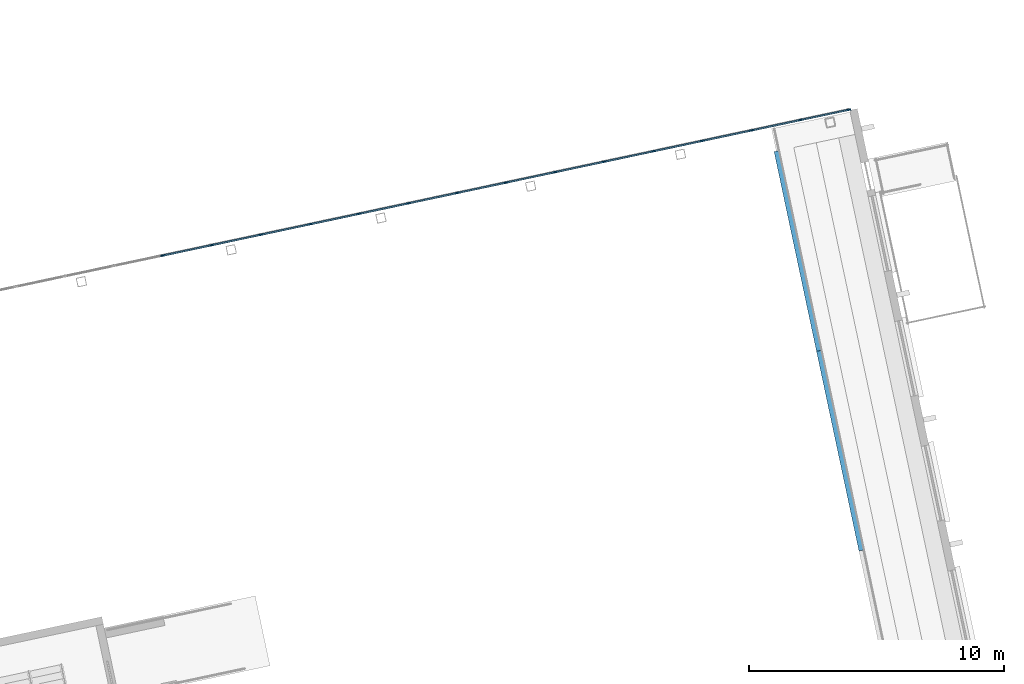
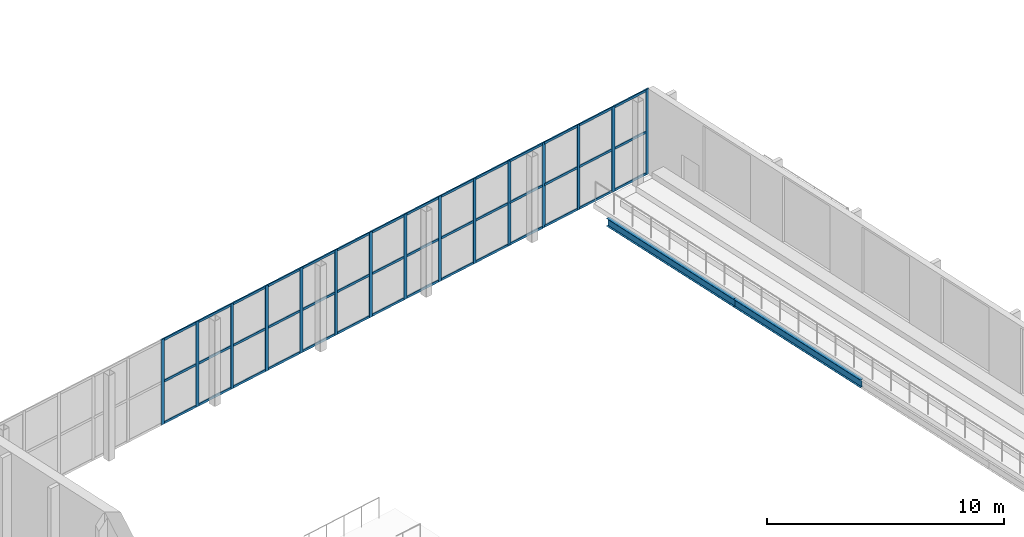
# One storey, part 43 of 115: 57 members, 2 beams, 1 element without a shape of its own.
"""IFC4 building model written with IfcOpenShell, lengths in metres."""

from ifc_helpers import new_model, si_unit, direction, frame, origin, origin_2d, place, context, subcontext, project, spatial, rectangle, i_section, extrude, material, layer, layer_set, material_profile, profile_set, type_object, element, aggregate, save


model = new_model("IFC4")

# Units and contexts
model_context = context("Model", 3, precision=1e-05, world=origin(), true_north=direction((0.0, 1.0)))
body_context = subcontext(model_context, "Body", "Model", "MODEL_VIEW")
ifc_project = project(units=[si_unit("LENGTHUNIT", "METRE"), si_unit("AREAUNIT", "SQUARE_METRE"), si_unit("VOLUMEUNIT", "CUBIC_METRE"), si_unit("PLANEANGLEUNIT", "RADIAN"), si_unit("MASSUNIT", "GRAM", prefix="KILO")], contexts=[model_context])

# Site, building, storey
site_placement = place(None, origin())
site = spatial("IfcSite", under=ifc_project, at=site_placement, CompositionType="ELEMENT")
building_placement = place(site_placement, origin())
building = spatial("IfcBuilding", under=site, at=building_placement, Name="Windward Yard Aquatics Centre", CompositionType="ELEMENT")
storey_placement = place(building_placement, frame((0.0, 0.0, 5.0)))
storey = spatial("IfcBuildingStorey", under=building, at=storey_placement, Name="L01", CompositionType="ELEMENT", Elevation=5.0)

# Beams
ifc_material_1 = material(Name="Steel ASTM A992 Gr 50", Category="steel")
ifc_material_profile_1 = material_profile(ifc_material_1, i_section(OverallWidth=0.177978515625, OverallDepth=0.406005859375, WebThickness=0.0078125, FlangeThickness=0.0126953125, at=origin_2d()), Name="W410X60")
ifc_profile_set_1 = profile_set([ifc_material_profile_1], Name="Steel ASTM A992 Gr 50")
beam_type = type_object("IfcBeamType", Name="D beam W410X60", PredefinedType="BEAM", material=ifc_profile_set_1)
for number, where, z_axis, x_axis, name in (
    (1, (193.35693359375, 65.26416015625, -0.452880859375), (-0.207915693476, 0.978146749934, 0.0), (-0.978146749934, -0.207915693476, 0.0), "D.B.G3"),
    (2, (191.693603515625, 73.08935546875, -0.452880859375), (-0.207915693476, 0.978146749934, 0.0), (-0.978146749934, -0.207915693476, 0.0), "D.B.G4"),
):
    element("IfcBeam", number, at=place(storey_placement, frame(where, z_axis=z_axis, x_axis=x_axis)), inside=storey, type_object=beam_type, Name=name, PredefinedType="BEAM", context=body_context, shape_type="SweptSolid", body=[
        extrude(i_section(OverallWidth=0.177978515625, OverallDepth=0.406005859375, WebThickness=0.0078125, FlangeThickness=0.0126953125, at=origin_2d()), origin(), (0.0, 0.0, 1.0), 8.0),
    ])

# Curtain wall, members
ifc_material_2 = material(Name="Aluminium and glass", Category="aluminium")
ifc_layer = layer(ifc_material_2, 0.159912109375)
ifc_layer_set = layer_set([ifc_layer], Name="D curtain wall 160")
curtain_wall_type = type_object("IfcCurtainWallType", Name="D curtain wall 160", PredefinedType="NOTDEFINED", material=ifc_layer_set)
curtain_wall_placement = place(storey_placement, origin())
curtain_wall = element("IfcCurtainWall", 3, at=curtain_wall_placement, inside=storey, type_object=curtain_wall_type, Name="North glazing L01", PredefinedType="NOTDEFINED")
ifc_material_3 = material(Name="Aluminium extrusion", Category="aluminium")
ifc_material_profile_2 = material_profile(ifc_material_3, rectangle(XDim=0.06005859375, YDim=0.159912109375, at=origin_2d()), Name="MULLION 60X160")
ifc_profile_set_2 = profile_set([ifc_material_profile_2], Name="Aluminium extrusion")
member_type_1 = type_object("IfcMemberType", Name="D curtain wall mullion 60X160", PredefinedType="MULLION", material=ifc_profile_set_2)
member_1_placement = place(storey_placement, frame((165.98388671875, 76.82568359375, 0.0), z_axis=(0.0, 0.0, 1.0), x_axis=(-0.207911718662, 0.978147594815, 0.0)))
member_1 = element("IfcMember", 4, at=member_1_placement, type_object=member_type_1, Name="DCW-L01 mullion 6", PredefinedType="MULLION", context=body_context, shape_type="SweptSolid", body=[
    extrude(rectangle(XDim=0.06005859375, YDim=0.159912109375, at=origin_2d()), origin(), (0.0, 0.0, 1.0), 4.39990234375),
])
member_2_placement = place(storey_placement, frame((167.90673828125, 77.234375, 0.0), z_axis=(0.0, 0.0, 1.0), x_axis=(-0.207911718662, 0.978147594815, 0.0)))
member_2 = element("IfcMember", 5, at=member_2_placement, type_object=member_type_1, Name="DCW-L01 mullion 7", PredefinedType="MULLION", context=body_context, shape_type="SweptSolid", body=[
    extrude(rectangle(XDim=0.06005859375, YDim=0.159912109375, at=origin_2d()), origin(), (0.0, 0.0, 1.0), 4.39990234375),
])
member_3_placement = place(storey_placement, frame((169.82958984375, 77.64306640625, 0.0), z_axis=(0.0, 0.0, 1.0), x_axis=(-0.207911718662, 0.978147594815, 0.0)))
member_3 = element("IfcMember", 6, at=member_3_placement, type_object=member_type_1, Name="DCW-L01 mullion 8", PredefinedType="MULLION", context=body_context, shape_type="SweptSolid", body=[
    extrude(rectangle(XDim=0.06005859375, YDim=0.159912109375, at=origin_2d()), origin(), (0.0, 0.0, 1.0), 4.39990234375),
])
member_4_placement = place(storey_placement, frame((171.75244140625, 78.0517578125, 0.0), z_axis=(0.0, 0.0, 1.0), x_axis=(-0.207911718662, 0.978147594815, 0.0)))
member_4 = element("IfcMember", 7, at=member_4_placement, type_object=member_type_1, Name="DCW-L01 mullion 9", PredefinedType="MULLION", context=body_context, shape_type="SweptSolid", body=[
    extrude(rectangle(XDim=0.06005859375, YDim=0.159912109375, at=origin_2d()), origin(), (0.0, 0.0, 1.0), 4.39990234375),
])
member_5_placement = place(storey_placement, frame((173.67529296875, 78.46044921875, 0.0), z_axis=(0.0, 0.0, 1.0), x_axis=(-0.207911718662, 0.978147594815, 0.0)))
member_5 = element("IfcMember", 8, at=member_5_placement, type_object=member_type_1, Name="DCW-L01 mullion 10", PredefinedType="MULLION", context=body_context, shape_type="SweptSolid", body=[
    extrude(rectangle(XDim=0.06005859375, YDim=0.159912109375, at=origin_2d()), origin(), (0.0, 0.0, 1.0), 4.39990234375),
])
member_6_placement = place(storey_placement, frame((175.59814453125, 78.869140625, 0.0), z_axis=(0.0, 0.0, 1.0), x_axis=(-0.207911718662, 0.978147594815, 0.0)))
member_6 = element("IfcMember", 9, at=member_6_placement, type_object=member_type_1, Name="DCW-L01 mullion 11", PredefinedType="MULLION", context=body_context, shape_type="SweptSolid", body=[
    extrude(rectangle(XDim=0.06005859375, YDim=0.159912109375, at=origin_2d()), origin(), (0.0, 0.0, 1.0), 4.39990234375),
])
member_7_placement = place(storey_placement, frame((177.52099609375, 79.27783203125, 0.0), z_axis=(0.0, 0.0, 1.0), x_axis=(-0.207911718662, 0.978147594815, 0.0)))
member_7 = element("IfcMember", 10, at=member_7_placement, type_object=member_type_1, Name="DCW-L01 mullion 12", PredefinedType="MULLION", context=body_context, shape_type="SweptSolid", body=[
    extrude(rectangle(XDim=0.06005859375, YDim=0.159912109375, at=origin_2d()), origin(), (0.0, 0.0, 1.0), 4.39990234375),
])
member_8_placement = place(storey_placement, frame((179.44384765625, 79.6865234375, 0.0), z_axis=(0.0, 0.0, 1.0), x_axis=(-0.207911718662, 0.978147594815, 0.0)))
member_8 = element("IfcMember", 11, at=member_8_placement, type_object=member_type_1, Name="DCW-L01 mullion 13", PredefinedType="MULLION", context=body_context, shape_type="SweptSolid", body=[
    extrude(rectangle(XDim=0.06005859375, YDim=0.159912109375, at=origin_2d()), origin(), (0.0, 0.0, 1.0), 4.39990234375),
])
member_9_placement = place(storey_placement, frame((181.36669921875, 80.09521484375, 0.0), z_axis=(0.0, 0.0, 1.0), x_axis=(-0.207911718662, 0.978147594815, 0.0)))
member_9 = element("IfcMember", 12, at=member_9_placement, type_object=member_type_1, Name="DCW-L01 mullion 14", PredefinedType="MULLION", context=body_context, shape_type="SweptSolid", body=[
    extrude(rectangle(XDim=0.06005859375, YDim=0.159912109375, at=origin_2d()), origin(), (0.0, 0.0, 1.0), 4.39990234375),
])
member_10_placement = place(storey_placement, frame((183.28955078125, 80.504150390625, 0.0), z_axis=(0.0, 0.0, 1.0), x_axis=(-0.207911718662, 0.978147594815, 0.0)))
member_10 = element("IfcMember", 13, at=member_10_placement, type_object=member_type_1, Name="DCW-L01 mullion 15", PredefinedType="MULLION", context=body_context, shape_type="SweptSolid", body=[
    extrude(rectangle(XDim=0.06005859375, YDim=0.159912109375, at=origin_2d()), origin(), (0.0, 0.0, 1.0), 4.39990234375),
])
member_11_placement = place(storey_placement, frame((185.212158203125, 80.912841796875, 0.0), z_axis=(0.0, 0.0, 1.0), x_axis=(-0.207911718662, 0.978147594815, 0.0)))
member_11 = element("IfcMember", 14, at=member_11_placement, type_object=member_type_1, Name="DCW-L01 mullion 16", PredefinedType="MULLION", context=body_context, shape_type="SweptSolid", body=[
    extrude(rectangle(XDim=0.06005859375, YDim=0.159912109375, at=origin_2d()), origin(), (0.0, 0.0, 1.0), 4.39990234375),
])
member_12_placement = place(storey_placement, frame((187.135009765625, 81.321533203125, 0.0), z_axis=(0.0, 0.0, 1.0), x_axis=(-0.207911718662, 0.978147594815, 0.0)))
member_12 = element("IfcMember", 15, at=member_12_placement, type_object=member_type_1, Name="DCW-L01 mullion 17", PredefinedType="MULLION", context=body_context, shape_type="SweptSolid", body=[
    extrude(rectangle(XDim=0.06005859375, YDim=0.159912109375, at=origin_2d()), origin(), (0.0, 0.0, 1.0), 4.39990234375),
])
member_13_placement = place(storey_placement, frame((189.057861328125, 81.730224609375, 0.0), z_axis=(0.0, 0.0, 1.0), x_axis=(-0.207911718662, 0.978147594815, 0.0)))
member_13 = element("IfcMember", 16, at=member_13_placement, type_object=member_type_1, Name="DCW-L01 mullion 18", PredefinedType="MULLION", context=body_context, shape_type="SweptSolid", body=[
    extrude(rectangle(XDim=0.06005859375, YDim=0.159912109375, at=origin_2d()), origin(), (0.0, 0.0, 1.0), 4.39990234375),
])
member_14_placement = place(storey_placement, frame((190.980712890625, 82.138916015625, 0.0), z_axis=(0.0, 0.0, 1.0), x_axis=(-0.207911718662, 0.978147594815, 0.0)))
member_14 = element("IfcMember", 17, at=member_14_placement, type_object=member_type_1, Name="DCW-L01 mullion 19", PredefinedType="MULLION", context=body_context, shape_type="SweptSolid", body=[
    extrude(rectangle(XDim=0.06005859375, YDim=0.159912109375, at=origin_2d()), origin(), (0.0, 0.0, 1.0), 4.39990234375),
])
member_15_placement = place(storey_placement, frame((192.874267578125, 82.541259765625, 0.0), z_axis=(0.0, 0.0, 1.0), x_axis=(-0.207911718662, 0.978147594815, 0.0)))
member_15 = element("IfcMember", 18, at=member_15_placement, type_object=member_type_1, Name="DCW-L01 mullion 20", PredefinedType="MULLION", context=body_context, shape_type="SweptSolid", body=[
    extrude(rectangle(XDim=0.06005859375, YDim=0.159912109375, at=origin_2d()), origin(), (0.0, 0.0, 1.0), 4.39990234375),
])
ifc_material_profile_3 = material_profile(ifc_material_3, rectangle(XDim=0.06005859375, YDim=0.1201171875, at=origin_2d()), Name="TRANSOM 60X120")
ifc_profile_set_3 = profile_set([ifc_material_profile_3], Name="Aluminium extrusion")
member_type_2 = type_object("IfcMemberType", Name="D curtain wall transom 60X120", PredefinedType="USERDEFINED", material=ifc_profile_set_3)
member_16_placement = place(storey_placement, frame((166.01318359375, 76.831787109375, 0.06005859375), z_axis=(0.978149734379, 0.207901652553, 0.0), x_axis=(-0.207901652553, 0.978149734379, 0.0)))
member_16 = element("IfcMember", 19, at=member_16_placement, type_object=member_type_2, Name="DCW-L01 transom 6.1", ObjectType="TRANSOM", PredefinedType="USERDEFINED", context=body_context, shape_type="SweptSolid", body=[
    extrude(rectangle(XDim=0.06005859375, YDim=0.1201171875, at=origin_2d()), origin(), (0.0, 0.0, 1.0), 1.906005859375),
])
member_17_placement = place(storey_placement, frame((166.01318359375, 76.831787109375, 2.199951171875), z_axis=(0.978149734379, 0.207901652553, 0.0), x_axis=(-0.207901652553, 0.978149734379, 0.0)))
member_17 = element("IfcMember", 20, at=member_17_placement, type_object=member_type_2, Name="DCW-L01 transom 6.2", ObjectType="TRANSOM", PredefinedType="USERDEFINED", context=body_context, shape_type="SweptSolid", body=[
    extrude(rectangle(XDim=0.06005859375, YDim=0.1201171875, at=origin_2d()), origin(), (0.0, 0.0, 1.0), 1.906005859375),
])
member_18_placement = place(storey_placement, frame((166.01318359375, 76.831787109375, 4.340087890625), z_axis=(0.978149734379, 0.207901652553, 0.0), x_axis=(-0.207901652553, 0.978149734379, 0.0)))
member_18 = element("IfcMember", 21, at=member_18_placement, type_object=member_type_2, Name="DCW-L01 transom 6.3", ObjectType="TRANSOM", PredefinedType="USERDEFINED", context=body_context, shape_type="SweptSolid", body=[
    extrude(rectangle(XDim=0.06005859375, YDim=0.1201171875, at=origin_2d()), origin(), (0.0, 0.0, 1.0), 1.906005859375),
])
member_19_placement = place(storey_placement, frame((167.93603515625, 77.240478515625, 0.06005859375), z_axis=(0.978149734379, 0.207901652553, 0.0), x_axis=(-0.207901652553, 0.978149734379, 0.0)))
member_19 = element("IfcMember", 22, at=member_19_placement, type_object=member_type_2, Name="DCW-L01 transom 7.1", ObjectType="TRANSOM", PredefinedType="USERDEFINED", context=body_context, shape_type="SweptSolid", body=[
    extrude(rectangle(XDim=0.06005859375, YDim=0.1201171875, at=origin_2d()), origin(), (0.0, 0.0, 1.0), 1.906005859375),
])
member_20_placement = place(storey_placement, frame((167.93603515625, 77.240478515625, 2.199951171875), z_axis=(0.978149734379, 0.207901652553, 0.0), x_axis=(-0.207901652553, 0.978149734379, 0.0)))
member_20 = element("IfcMember", 23, at=member_20_placement, type_object=member_type_2, Name="DCW-L01 transom 7.2", ObjectType="TRANSOM", PredefinedType="USERDEFINED", context=body_context, shape_type="SweptSolid", body=[
    extrude(rectangle(XDim=0.06005859375, YDim=0.1201171875, at=origin_2d()), origin(), (0.0, 0.0, 1.0), 1.906005859375),
])
member_21_placement = place(storey_placement, frame((167.93603515625, 77.240478515625, 4.340087890625), z_axis=(0.978149734379, 0.207901652553, 0.0), x_axis=(-0.207901652553, 0.978149734379, 0.0)))
member_21 = element("IfcMember", 24, at=member_21_placement, type_object=member_type_2, Name="DCW-L01 transom 7.3", ObjectType="TRANSOM", PredefinedType="USERDEFINED", context=body_context, shape_type="SweptSolid", body=[
    extrude(rectangle(XDim=0.06005859375, YDim=0.1201171875, at=origin_2d()), origin(), (0.0, 0.0, 1.0), 1.906005859375),
])
member_22_placement = place(storey_placement, frame((169.85888671875, 77.6494140625, 0.06005859375), z_axis=(0.978149734379, 0.207901652553, 0.0), x_axis=(-0.207901652553, 0.978149734379, 0.0)))
member_22 = element("IfcMember", 25, at=member_22_placement, type_object=member_type_2, Name="DCW-L01 transom 8.1", ObjectType="TRANSOM", PredefinedType="USERDEFINED", context=body_context, shape_type="SweptSolid", body=[
    extrude(rectangle(XDim=0.06005859375, YDim=0.1201171875, at=origin_2d()), origin(), (0.0, 0.0, 1.0), 1.906005859375),
])
member_23_placement = place(storey_placement, frame((169.85888671875, 77.6494140625, 2.199951171875), z_axis=(0.978149734379, 0.207901652553, 0.0), x_axis=(-0.207901652553, 0.978149734379, 0.0)))
member_23 = element("IfcMember", 26, at=member_23_placement, type_object=member_type_2, Name="DCW-L01 transom 8.2", ObjectType="TRANSOM", PredefinedType="USERDEFINED", context=body_context, shape_type="SweptSolid", body=[
    extrude(rectangle(XDim=0.06005859375, YDim=0.1201171875, at=origin_2d()), origin(), (0.0, 0.0, 1.0), 1.906005859375),
])
member_24_placement = place(storey_placement, frame((169.85888671875, 77.6494140625, 4.340087890625), z_axis=(0.978149734379, 0.207901652553, 0.0), x_axis=(-0.207901652553, 0.978149734379, 0.0)))
member_24 = element("IfcMember", 27, at=member_24_placement, type_object=member_type_2, Name="DCW-L01 transom 8.3", ObjectType="TRANSOM", PredefinedType="USERDEFINED", context=body_context, shape_type="SweptSolid", body=[
    extrude(rectangle(XDim=0.06005859375, YDim=0.1201171875, at=origin_2d()), origin(), (0.0, 0.0, 1.0), 1.906005859375),
])
member_25_placement = place(storey_placement, frame((171.78173828125, 78.05810546875, 0.06005859375), z_axis=(0.978149734379, 0.207901652553, 0.0), x_axis=(-0.207901652553, 0.978149734379, 0.0)))
member_25 = element("IfcMember", 28, at=member_25_placement, type_object=member_type_2, Name="DCW-L01 transom 9.1", ObjectType="TRANSOM", PredefinedType="USERDEFINED", context=body_context, shape_type="SweptSolid", body=[
    extrude(rectangle(XDim=0.06005859375, YDim=0.1201171875, at=origin_2d()), origin(), (0.0, 0.0, 1.0), 1.906005859375),
])
member_26_placement = place(storey_placement, frame((171.78173828125, 78.05810546875, 2.199951171875), z_axis=(0.978149734379, 0.207901652553, 0.0), x_axis=(-0.207901652553, 0.978149734379, 0.0)))
member_26 = element("IfcMember", 29, at=member_26_placement, type_object=member_type_2, Name="DCW-L01 transom 9.2", ObjectType="TRANSOM", PredefinedType="USERDEFINED", context=body_context, shape_type="SweptSolid", body=[
    extrude(rectangle(XDim=0.06005859375, YDim=0.1201171875, at=origin_2d()), origin(), (0.0, 0.0, 1.0), 1.906005859375),
])
member_27_placement = place(storey_placement, frame((171.78173828125, 78.05810546875, 4.340087890625), z_axis=(0.978149734379, 0.207901652553, 0.0), x_axis=(-0.207901652553, 0.978149734379, 0.0)))
member_27 = element("IfcMember", 30, at=member_27_placement, type_object=member_type_2, Name="DCW-L01 transom 9.3", ObjectType="TRANSOM", PredefinedType="USERDEFINED", context=body_context, shape_type="SweptSolid", body=[
    extrude(rectangle(XDim=0.06005859375, YDim=0.1201171875, at=origin_2d()), origin(), (0.0, 0.0, 1.0), 1.906005859375),
])
member_28_placement = place(storey_placement, frame((173.70458984375, 78.466796875, 0.06005859375), z_axis=(0.978149734379, 0.207901652553, 0.0), x_axis=(-0.207901652553, 0.978149734379, 0.0)))
member_28 = element("IfcMember", 31, at=member_28_placement, type_object=member_type_2, Name="DCW-L01 transom 10.1", ObjectType="TRANSOM", PredefinedType="USERDEFINED", context=body_context, shape_type="SweptSolid", body=[
    extrude(rectangle(XDim=0.06005859375, YDim=0.1201171875, at=origin_2d()), origin(), (0.0, 0.0, 1.0), 1.906005859375),
])
member_29_placement = place(storey_placement, frame((173.70458984375, 78.466796875, 2.199951171875), z_axis=(0.978149734379, 0.207901652553, 0.0), x_axis=(-0.207901652553, 0.978149734379, 0.0)))
member_29 = element("IfcMember", 32, at=member_29_placement, type_object=member_type_2, Name="DCW-L01 transom 10.2", ObjectType="TRANSOM", PredefinedType="USERDEFINED", context=body_context, shape_type="SweptSolid", body=[
    extrude(rectangle(XDim=0.06005859375, YDim=0.1201171875, at=origin_2d()), origin(), (0.0, 0.0, 1.0), 1.906005859375),
])
member_30_placement = place(storey_placement, frame((173.70458984375, 78.466796875, 4.340087890625), z_axis=(0.978149734379, 0.207901652553, 0.0), x_axis=(-0.207901652553, 0.978149734379, 0.0)))
member_30 = element("IfcMember", 33, at=member_30_placement, type_object=member_type_2, Name="DCW-L01 transom 10.3", ObjectType="TRANSOM", PredefinedType="USERDEFINED", context=body_context, shape_type="SweptSolid", body=[
    extrude(rectangle(XDim=0.06005859375, YDim=0.1201171875, at=origin_2d()), origin(), (0.0, 0.0, 1.0), 1.906005859375),
])
member_31_placement = place(storey_placement, frame((175.62744140625, 78.87548828125, 0.06005859375), z_axis=(0.978149734379, 0.207901652553, 0.0), x_axis=(-0.207901652553, 0.978149734379, 0.0)))
member_31 = element("IfcMember", 34, at=member_31_placement, type_object=member_type_2, Name="DCW-L01 transom 11.1", ObjectType="TRANSOM", PredefinedType="USERDEFINED", context=body_context, shape_type="SweptSolid", body=[
    extrude(rectangle(XDim=0.06005859375, YDim=0.1201171875, at=origin_2d()), origin(), (0.0, 0.0, 1.0), 1.906005859375),
])
member_32_placement = place(storey_placement, frame((175.62744140625, 78.87548828125, 2.199951171875), z_axis=(0.978149734379, 0.207901652553, 0.0), x_axis=(-0.207901652553, 0.978149734379, 0.0)))
member_32 = element("IfcMember", 35, at=member_32_placement, type_object=member_type_2, Name="DCW-L01 transom 11.2", ObjectType="TRANSOM", PredefinedType="USERDEFINED", context=body_context, shape_type="SweptSolid", body=[
    extrude(rectangle(XDim=0.06005859375, YDim=0.1201171875, at=origin_2d()), origin(), (0.0, 0.0, 1.0), 1.906005859375),
])
member_33_placement = place(storey_placement, frame((175.62744140625, 78.87548828125, 4.340087890625), z_axis=(0.978149734379, 0.207901652553, 0.0), x_axis=(-0.207901652553, 0.978149734379, 0.0)))
member_33 = element("IfcMember", 36, at=member_33_placement, type_object=member_type_2, Name="DCW-L01 transom 11.3", ObjectType="TRANSOM", PredefinedType="USERDEFINED", context=body_context, shape_type="SweptSolid", body=[
    extrude(rectangle(XDim=0.06005859375, YDim=0.1201171875, at=origin_2d()), origin(), (0.0, 0.0, 1.0), 1.906005859375),
])
member_34_placement = place(storey_placement, frame((177.55029296875, 79.2841796875, 0.06005859375), z_axis=(0.978149734379, 0.207901652553, 0.0), x_axis=(-0.207901652553, 0.978149734379, 0.0)))
member_34 = element("IfcMember", 37, at=member_34_placement, type_object=member_type_2, Name="DCW-L01 transom 12.1", ObjectType="TRANSOM", PredefinedType="USERDEFINED", context=body_context, shape_type="SweptSolid", body=[
    extrude(rectangle(XDim=0.06005859375, YDim=0.1201171875, at=origin_2d()), origin(), (0.0, 0.0, 1.0), 1.906005859375),
])
member_35_placement = place(storey_placement, frame((177.55029296875, 79.2841796875, 2.199951171875), z_axis=(0.978149734379, 0.207901652553, 0.0), x_axis=(-0.207901652553, 0.978149734379, 0.0)))
member_35 = element("IfcMember", 38, at=member_35_placement, type_object=member_type_2, Name="DCW-L01 transom 12.2", ObjectType="TRANSOM", PredefinedType="USERDEFINED", context=body_context, shape_type="SweptSolid", body=[
    extrude(rectangle(XDim=0.06005859375, YDim=0.1201171875, at=origin_2d()), origin(), (0.0, 0.0, 1.0), 1.906005859375),
])
member_36_placement = place(storey_placement, frame((177.55029296875, 79.2841796875, 4.340087890625), z_axis=(0.978149734379, 0.207901652553, 0.0), x_axis=(-0.207901652553, 0.978149734379, 0.0)))
member_36 = element("IfcMember", 39, at=member_36_placement, type_object=member_type_2, Name="DCW-L01 transom 12.3", ObjectType="TRANSOM", PredefinedType="USERDEFINED", context=body_context, shape_type="SweptSolid", body=[
    extrude(rectangle(XDim=0.06005859375, YDim=0.1201171875, at=origin_2d()), origin(), (0.0, 0.0, 1.0), 1.906005859375),
])
member_37_placement = place(storey_placement, frame((179.47314453125, 79.69287109375, 0.06005859375), z_axis=(0.978144196583, 0.207927705443, 0.0), x_axis=(-0.207927705443, 0.978144196583, 0.0)))
member_37 = element("IfcMember", 40, at=member_37_placement, type_object=member_type_2, Name="DCW-L01 transom 13.1", ObjectType="TRANSOM", PredefinedType="USERDEFINED", context=body_context, shape_type="SweptSolid", body=[
    extrude(rectangle(XDim=0.06005859375, YDim=0.1201171875, at=origin_2d()), origin(), (0.0, 0.0, 1.0), 1.90576171875),
])
member_38_placement = place(storey_placement, frame((179.47314453125, 79.69287109375, 2.199951171875), z_axis=(0.978144196583, 0.207927705443, 0.0), x_axis=(-0.207927705443, 0.978144196583, 0.0)))
member_38 = element("IfcMember", 41, at=member_38_placement, type_object=member_type_2, Name="DCW-L01 transom 13.2", ObjectType="TRANSOM", PredefinedType="USERDEFINED", context=body_context, shape_type="SweptSolid", body=[
    extrude(rectangle(XDim=0.06005859375, YDim=0.1201171875, at=origin_2d()), origin(), (0.0, 0.0, 1.0), 1.90576171875),
])
member_39_placement = place(storey_placement, frame((179.47314453125, 79.69287109375, 4.340087890625), z_axis=(0.978144196583, 0.207927705443, 0.0), x_axis=(-0.207927705443, 0.978144196583, 0.0)))
member_39 = element("IfcMember", 42, at=member_39_placement, type_object=member_type_2, Name="DCW-L01 transom 13.3", ObjectType="TRANSOM", PredefinedType="USERDEFINED", context=body_context, shape_type="SweptSolid", body=[
    extrude(rectangle(XDim=0.06005859375, YDim=0.1201171875, at=origin_2d()), origin(), (0.0, 0.0, 1.0), 1.90576171875),
])
member_40_placement = place(storey_placement, frame((181.39599609375, 80.1015625, 0.06005859375), z_axis=(0.978144196583, 0.207927705443, 0.0), x_axis=(-0.207927705443, 0.978144196583, 0.0)))
member_40 = element("IfcMember", 43, at=member_40_placement, type_object=member_type_2, Name="DCW-L01 transom 14.1", ObjectType="TRANSOM", PredefinedType="USERDEFINED", context=body_context, shape_type="SweptSolid", body=[
    extrude(rectangle(XDim=0.06005859375, YDim=0.1201171875, at=origin_2d()), origin(), (0.0, 0.0, 1.0), 1.90576171875),
])
member_41_placement = place(storey_placement, frame((181.39599609375, 80.1015625, 2.199951171875), z_axis=(0.978144196583, 0.207927705443, 0.0), x_axis=(-0.207927705443, 0.978144196583, 0.0)))
member_41 = element("IfcMember", 44, at=member_41_placement, type_object=member_type_2, Name="DCW-L01 transom 14.2", ObjectType="TRANSOM", PredefinedType="USERDEFINED", context=body_context, shape_type="SweptSolid", body=[
    extrude(rectangle(XDim=0.06005859375, YDim=0.1201171875, at=origin_2d()), origin(), (0.0, 0.0, 1.0), 1.90576171875),
])
member_42_placement = place(storey_placement, frame((181.39599609375, 80.1015625, 4.340087890625), z_axis=(0.978144196583, 0.207927705443, 0.0), x_axis=(-0.207927705443, 0.978144196583, 0.0)))
member_42 = element("IfcMember", 45, at=member_42_placement, type_object=member_type_2, Name="DCW-L01 transom 14.3", ObjectType="TRANSOM", PredefinedType="USERDEFINED", context=body_context, shape_type="SweptSolid", body=[
    extrude(rectangle(XDim=0.06005859375, YDim=0.1201171875, at=origin_2d()), origin(), (0.0, 0.0, 1.0), 1.90576171875),
])
member_43_placement = place(storey_placement, frame((183.31884765625, 80.51025390625, 0.06005859375), z_axis=(0.978144196583, 0.207927705443, 0.0), x_axis=(-0.207927705443, 0.978144196583, 0.0)))
member_43 = element("IfcMember", 46, at=member_43_placement, type_object=member_type_2, Name="DCW-L01 transom 15.1", ObjectType="TRANSOM", PredefinedType="USERDEFINED", context=body_context, shape_type="SweptSolid", body=[
    extrude(rectangle(XDim=0.06005859375, YDim=0.1201171875, at=origin_2d()), origin(), (0.0, 0.0, 1.0), 1.90576171875),
])
member_44_placement = place(storey_placement, frame((183.31884765625, 80.51025390625, 2.199951171875), z_axis=(0.978144196583, 0.207927705443, 0.0), x_axis=(-0.207927705443, 0.978144196583, 0.0)))
member_44 = element("IfcMember", 47, at=member_44_placement, type_object=member_type_2, Name="DCW-L01 transom 15.2", ObjectType="TRANSOM", PredefinedType="USERDEFINED", context=body_context, shape_type="SweptSolid", body=[
    extrude(rectangle(XDim=0.06005859375, YDim=0.1201171875, at=origin_2d()), origin(), (0.0, 0.0, 1.0), 1.90576171875),
])
member_45_placement = place(storey_placement, frame((183.31884765625, 80.51025390625, 4.340087890625), z_axis=(0.978144196583, 0.207927705443, 0.0), x_axis=(-0.207927705443, 0.978144196583, 0.0)))
member_45 = element("IfcMember", 48, at=member_45_placement, type_object=member_type_2, Name="DCW-L01 transom 15.3", ObjectType="TRANSOM", PredefinedType="USERDEFINED", context=body_context, shape_type="SweptSolid", body=[
    extrude(rectangle(XDim=0.06005859375, YDim=0.1201171875, at=origin_2d()), origin(), (0.0, 0.0, 1.0), 1.90576171875),
])
member_46_placement = place(storey_placement, frame((185.24169921875, 80.9189453125, 0.06005859375), z_axis=(0.978144196583, 0.207927705443, 0.0), x_axis=(-0.207927705443, 0.978144196583, 0.0)))
member_46 = element("IfcMember", 49, at=member_46_placement, type_object=member_type_2, Name="DCW-L01 transom 16.1", ObjectType="TRANSOM", PredefinedType="USERDEFINED", context=body_context, shape_type="SweptSolid", body=[
    extrude(rectangle(XDim=0.06005859375, YDim=0.1201171875, at=origin_2d()), origin(), (0.0, 0.0, 1.0), 1.90576171875),
])
member_47_placement = place(storey_placement, frame((185.24169921875, 80.9189453125, 2.199951171875), z_axis=(0.978144196583, 0.207927705443, 0.0), x_axis=(-0.207927705443, 0.978144196583, 0.0)))
member_47 = element("IfcMember", 50, at=member_47_placement, type_object=member_type_2, Name="DCW-L01 transom 16.2", ObjectType="TRANSOM", PredefinedType="USERDEFINED", context=body_context, shape_type="SweptSolid", body=[
    extrude(rectangle(XDim=0.06005859375, YDim=0.1201171875, at=origin_2d()), origin(), (0.0, 0.0, 1.0), 1.90576171875),
])
member_48_placement = place(storey_placement, frame((185.24169921875, 80.9189453125, 4.340087890625), z_axis=(0.978144196583, 0.207927705443, 0.0), x_axis=(-0.207927705443, 0.978144196583, 0.0)))
member_48 = element("IfcMember", 51, at=member_48_placement, type_object=member_type_2, Name="DCW-L01 transom 16.3", ObjectType="TRANSOM", PredefinedType="USERDEFINED", context=body_context, shape_type="SweptSolid", body=[
    extrude(rectangle(XDim=0.06005859375, YDim=0.1201171875, at=origin_2d()), origin(), (0.0, 0.0, 1.0), 1.90576171875),
])
member_49_placement = place(storey_placement, frame((187.16455078125, 81.32763671875, 0.06005859375), z_axis=(0.978144196583, 0.207927705443, 0.0), x_axis=(-0.207927705443, 0.978144196583, 0.0)))
member_49 = element("IfcMember", 52, at=member_49_placement, type_object=member_type_2, Name="DCW-L01 transom 17.1", ObjectType="TRANSOM", PredefinedType="USERDEFINED", context=body_context, shape_type="SweptSolid", body=[
    extrude(rectangle(XDim=0.06005859375, YDim=0.1201171875, at=origin_2d()), origin(), (0.0, 0.0, 1.0), 1.90576171875),
])
member_50_placement = place(storey_placement, frame((187.16455078125, 81.32763671875, 2.199951171875), z_axis=(0.978144196583, 0.207927705443, 0.0), x_axis=(-0.207927705443, 0.978144196583, 0.0)))
member_50 = element("IfcMember", 53, at=member_50_placement, type_object=member_type_2, Name="DCW-L01 transom 17.2", ObjectType="TRANSOM", PredefinedType="USERDEFINED", context=body_context, shape_type="SweptSolid", body=[
    extrude(rectangle(XDim=0.06005859375, YDim=0.1201171875, at=origin_2d()), origin(), (0.0, 0.0, 1.0), 1.90576171875),
])
member_51_placement = place(storey_placement, frame((187.16455078125, 81.32763671875, 4.340087890625), z_axis=(0.978144196583, 0.207927705443, 0.0), x_axis=(-0.207927705443, 0.978144196583, 0.0)))
member_51 = element("IfcMember", 54, at=member_51_placement, type_object=member_type_2, Name="DCW-L01 transom 17.3", ObjectType="TRANSOM", PredefinedType="USERDEFINED", context=body_context, shape_type="SweptSolid", body=[
    extrude(rectangle(XDim=0.06005859375, YDim=0.1201171875, at=origin_2d()), origin(), (0.0, 0.0, 1.0), 1.90576171875),
])
member_52_placement = place(storey_placement, frame((189.08740234375, 81.736328125, 0.06005859375), z_axis=(0.978144196583, 0.207927705443, 0.0), x_axis=(-0.207927705443, 0.978144196583, 0.0)))
member_52 = element("IfcMember", 55, at=member_52_placement, type_object=member_type_2, Name="DCW-L01 transom 18.1", ObjectType="TRANSOM", PredefinedType="USERDEFINED", context=body_context, shape_type="SweptSolid", body=[
    extrude(rectangle(XDim=0.06005859375, YDim=0.1201171875, at=origin_2d()), origin(), (0.0, 0.0, 1.0), 1.90576171875),
])
member_53_placement = place(storey_placement, frame((189.08740234375, 81.736328125, 2.199951171875), z_axis=(0.978144196583, 0.207927705443, 0.0), x_axis=(-0.207927705443, 0.978144196583, 0.0)))
member_53 = element("IfcMember", 56, at=member_53_placement, type_object=member_type_2, Name="DCW-L01 transom 18.2", ObjectType="TRANSOM", PredefinedType="USERDEFINED", context=body_context, shape_type="SweptSolid", body=[
    extrude(rectangle(XDim=0.06005859375, YDim=0.1201171875, at=origin_2d()), origin(), (0.0, 0.0, 1.0), 1.90576171875),
])
member_54_placement = place(storey_placement, frame((189.08740234375, 81.736328125, 4.340087890625), z_axis=(0.978144196583, 0.207927705443, 0.0), x_axis=(-0.207927705443, 0.978144196583, 0.0)))
member_54 = element("IfcMember", 57, at=member_54_placement, type_object=member_type_2, Name="DCW-L01 transom 18.3", ObjectType="TRANSOM", PredefinedType="USERDEFINED", context=body_context, shape_type="SweptSolid", body=[
    extrude(rectangle(XDim=0.06005859375, YDim=0.1201171875, at=origin_2d()), origin(), (0.0, 0.0, 1.0), 1.90576171875),
])
member_55_placement = place(storey_placement, frame((191.010009765625, 82.14501953125, 0.06005859375), z_axis=(0.978136354166, 0.207964594726, 0.0), x_axis=(-0.207964594726, 0.978136354166, 0.0)))
member_55 = element("IfcMember", 58, at=member_55_placement, type_object=member_type_2, Name="DCW-L01 transom 19.1", ObjectType="TRANSOM", PredefinedType="USERDEFINED", context=body_context, shape_type="SweptSolid", body=[
    extrude(rectangle(XDim=0.06005859375, YDim=0.1201171875, at=origin_2d()), origin(), (0.0, 0.0, 1.0), 1.8759765625),
])
member_56_placement = place(storey_placement, frame((191.010009765625, 82.14501953125, 2.199951171875), z_axis=(0.978136354166, 0.207964594726, 0.0), x_axis=(-0.207964594726, 0.978136354166, 0.0)))
member_56 = element("IfcMember", 59, at=member_56_placement, type_object=member_type_2, Name="DCW-L01 transom 19.2", ObjectType="TRANSOM", PredefinedType="USERDEFINED", context=body_context, shape_type="SweptSolid", body=[
    extrude(rectangle(XDim=0.06005859375, YDim=0.1201171875, at=origin_2d()), origin(), (0.0, 0.0, 1.0), 1.8759765625),
])
member_57_placement = place(storey_placement, frame((191.010009765625, 82.14501953125, 4.340087890625), z_axis=(0.978136354166, 0.207964594726, 0.0), x_axis=(-0.207964594726, 0.978136354166, 0.0)))
member_57 = element("IfcMember", 60, at=member_57_placement, type_object=member_type_2, Name="DCW-L01 transom 19.3", ObjectType="TRANSOM", PredefinedType="USERDEFINED", context=body_context, shape_type="SweptSolid", body=[
    extrude(rectangle(XDim=0.06005859375, YDim=0.1201171875, at=origin_2d()), origin(), (0.0, 0.0, 1.0), 1.8759765625),
])
aggregate(curtain_wall, [member_1, member_2, member_3, member_4, member_5, member_6, member_7, member_8, member_9, member_10, member_11, member_12, member_13, member_14, member_15, member_16, member_17, member_18, member_19, member_20, member_21, member_22, member_23, member_24, member_25, member_26, member_27, member_28, member_29, member_30, member_31, member_32, member_33, member_34, member_35, member_36, member_37, member_38, member_39, member_40, member_41, member_42, member_43, member_44, member_45, member_46, member_47, member_48, member_49, member_50, member_51, member_52, member_53, member_54, member_55, member_56, member_57])

save(model, "model.ifc")
